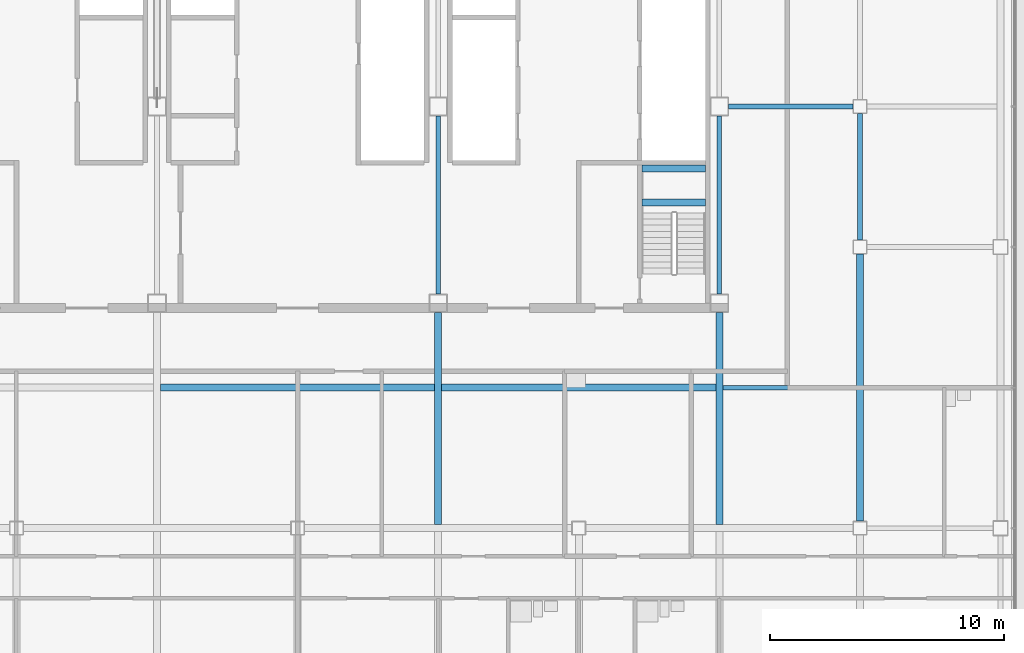
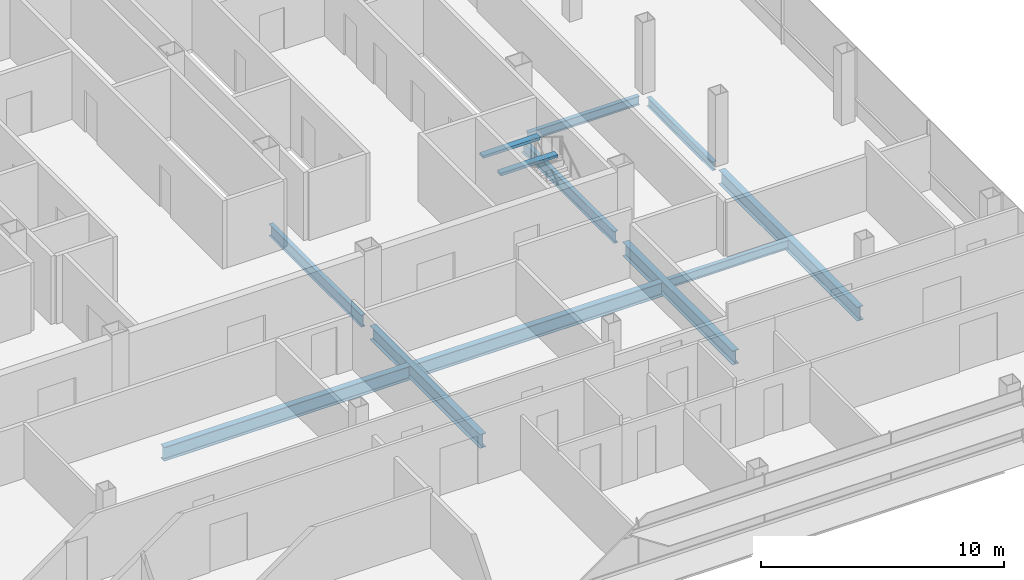
# One storey, part 10 of 26: 12 beams.
"""IFC4 building model written with IfcOpenShell, lengths in metres."""

from ifc_helpers import new_model, si_unit, direction, frame, origin, origin_2d, place, context, subcontext, project, spatial, rectangle, i_section, extrude, material, material_profile, profile_set, type_object, element, save


model = new_model("IFC4")

# Units and contexts
model_context = context("Model", 3, precision=1e-05, world=origin(), true_north=direction((0.0, 1.0)))
body_context = subcontext(model_context, "Body", "Model", "MODEL_VIEW")
ifc_project = project(units=[si_unit("LENGTHUNIT", "METRE"), si_unit("AREAUNIT", "SQUARE_METRE"), si_unit("VOLUMEUNIT", "CUBIC_METRE"), si_unit("PLANEANGLEUNIT", "RADIAN"), si_unit("MASSUNIT", "GRAM", prefix="KILO")], contexts=[model_context])

# Site, building, storey
site_placement = place(None, origin())
site = spatial("IfcSite", under=ifc_project, at=site_placement, CompositionType="ELEMENT")
building_placement = place(site_placement, origin())
building = spatial("IfcBuilding", under=site, at=building_placement, Name="Sorahane Residences", CompositionType="ELEMENT")
storey_placement = place(building_placement, frame((0.0, 0.0, 243.199951171875)))
storey = spatial("IfcBuildingStorey", under=building, at=storey_placement, Name="L57", CompositionType="ELEMENT", Elevation=243.199951171875)

# Beams
ifc_material_1 = material(Name="Concrete C40", Category="concrete")
ifc_material_profile_1 = material_profile(ifc_material_1, rectangle(XDim=0.300048828125, YDim=0.139892578125, at=origin_2d()), Name="300x140")
ifc_profile_set_1 = profile_set([ifc_material_profile_1], Name="Concrete C40")
beam_type_1 = type_object("IfcBeamType", Name="RC landing beam 300 x 140 Concrete C40", PredefinedType="BEAM", material=ifc_profile_set_1)
for number, where, z_axis, x_axis, name in (
    (1, (38.699951171875, 25.89990234375, 1.530029296875), (1.0, 0.0, 0.0), (0.0, 1.0, 0.0), "Landing beam"),
    (2, (38.699951171875, 27.35009765625, 1.530029296875), (1.0, 0.0, 0.0), (0.0, 1.0, 0.0), "Landing beam"),
):
    element("IfcBeam", number, at=place(storey_placement, frame(where, z_axis=z_axis, x_axis=x_axis)), inside=storey, type_object=beam_type_1, Name=name, PredefinedType="BEAM", context=body_context, shape_type="SweptSolid", body=[
        extrude(rectangle(XDim=0.300048828125, YDim=0.139892578125, at=origin_2d()), origin(), (0.0, 0.0, 1.0), 2.699951171875),
    ])
ifc_material_2 = material(Name="Steel Q355B", Category="steel")
ifc_material_profile_2 = material_profile(ifc_material_2, i_section(OverallWidth=0.199951171875, OverallDepth=0.449951171875, WebThickness=0.009033203125, FlangeThickness=0.013916015625, FilletRadius=0.02001953125, at=origin_2d()), Name="HN 450x200x9x14")
ifc_profile_set_2 = profile_set([ifc_material_profile_2], Name="Steel Q355B")
beam_type_2 = type_object("IfcBeamType", Name="Steel floor beam HN 450x200x9x14 Q355B", PredefinedType="BEAM", material=ifc_profile_set_2)
beam_1_placement = place(storey_placement, frame((48.0, 24.300048828125, -0.405029296875), z_axis=(0.0, 1.0, 0.0), x_axis=(-1.0, 0.0, 0.0)))
element("IfcBeam", 3, at=beam_1_placement, inside=storey, type_object=beam_type_2, Name="Beam L57 060", PredefinedType="BEAM", context=body_context, shape_type="SweptSolid", body=[
    extrude(i_section(OverallWidth=0.199951171875, OverallDepth=0.449951171875, WebThickness=0.009033203125, FlangeThickness=0.013916015625, FilletRadius=0.02001953125, at=origin_2d()), origin(), (0.0, 0.0, 1.0), 5.39990234375),
])
beam_2_placement = place(storey_placement, frame((42.14990234375, 18.0, -0.405029296875), z_axis=(1.0, 0.0, 0.0), x_axis=(0.0, 1.0, 0.0)))
element("IfcBeam", 4, at=beam_2_placement, inside=storey, type_object=beam_type_2, Name="Beam L57 083", PredefinedType="BEAM", context=body_context, shape_type="SweptSolid", body=[
    extrude(i_section(OverallWidth=0.199951171875, OverallDepth=0.449951171875, WebThickness=0.009033203125, FlangeThickness=0.013916015625, FilletRadius=0.02001953125, at=origin_2d()), origin(), (0.0, 0.0, 1.0), 5.7001953125),
])
beam_3_placement = place(storey_placement, frame((42.39990234375, 30.0, -0.405029296875), z_axis=(1.0, 0.0, 0.0), x_axis=(0.0, 1.0, 0.0)))
element("IfcBeam", 5, at=beam_3_placement, inside=storey, type_object=beam_type_2, Name="Beam L57 087", PredefinedType="BEAM", context=body_context, shape_type="SweptSolid", body=[
    extrude(i_section(OverallWidth=0.199951171875, OverallDepth=0.449951171875, WebThickness=0.009033203125, FlangeThickness=0.013916015625, FilletRadius=0.02001953125, at=origin_2d()), origin(), (0.0, 0.0, 1.0), 5.300048828125),
])
ifc_material_3 = material(Name="Steel Q355B", Category="steel")
ifc_material_profile_3 = material_profile(ifc_material_3, i_section(OverallWidth=0.199951171875, OverallDepth=0.60009765625, WebThickness=0.010986328125, FlangeThickness=0.01708984375, FilletRadius=0.02392578125, at=origin_2d()), Name="HN 600x200x11x17")
ifc_profile_set_3 = profile_set([ifc_material_profile_3], Name="Steel Q355B")
beam_type_3 = type_object("IfcBeamType", Name="Steel floor beam HN 600x200x11x17 Q355B", PredefinedType="BEAM", material=ifc_profile_set_3)
for number, where, z_axis, x_axis, name in (
    (6, (30.0, 22.0, -0.47998046875), (0.0, 1.0, 0.0), (-1.0, 0.0, 0.0), "Beam L57 046"),
    (7, (42.0, 22.0, -0.47998046875), (0.0, 1.0, 0.0), (-1.0, 0.0, 0.0), "Beam L57 054"),
):
    element("IfcBeam", number, at=place(storey_placement, frame(where, z_axis=z_axis, x_axis=x_axis)), inside=storey, type_object=beam_type_3, Name=name, PredefinedType="BEAM", context=body_context, shape_type="SweptSolid", body=[
        extrude(i_section(OverallWidth=0.199951171875, OverallDepth=0.60009765625, WebThickness=0.010986328125, FlangeThickness=0.01708984375, FilletRadius=0.02392578125, at=origin_2d()), origin(), (0.0, 0.0, 1.0), 7.60009765625),
    ])
ifc_material_4 = material(Name="Steel Q355B", Category="steel")
ifc_material_profile_4 = material_profile(ifc_material_4, i_section(OverallWidth=0.300048828125, OverallDepth=0.699951171875, WebThickness=0.012939453125, FlangeThickness=0.02392578125, FilletRadius=0.028076171875, at=origin_2d()), Name="HN 700x300x13x24")
ifc_profile_set_4 = profile_set([ifc_material_profile_4], Name="Steel Q355B")
beam_type_4 = type_object("IfcBeamType", Name="Steel floor beam HN 700x300x13x24 Q355B", PredefinedType="BEAM", material=ifc_profile_set_4)
for number, where, z_axis, x_axis, name in (
    (8, (30.0, 12.14990234375, -0.530029296875), (0.0, 1.0, 0.0), (-1.0, 0.0, 0.0), "Beam L57 045"),
    (9, (42.0, 12.14990234375, -0.530029296875), (0.0, 1.0, 0.0), (-1.0, 0.0, 0.0), "Beam L57 053"),
):
    element("IfcBeam", number, at=place(storey_placement, frame(where, z_axis=z_axis, x_axis=x_axis)), inside=storey, type_object=beam_type_4, Name=name, PredefinedType="BEAM", context=body_context, shape_type="SweptSolid", body=[
        extrude(i_section(OverallWidth=0.300048828125, OverallDepth=0.699951171875, WebThickness=0.012939453125, FlangeThickness=0.02392578125, FilletRadius=0.028076171875, at=origin_2d()), origin(), (0.0, 0.0, 1.0), 9.050048828125),
    ])
beam_4_placement = place(storey_placement, frame((48.0, 12.300048828125, -0.530029296875), z_axis=(0.0, 1.0, 0.0), x_axis=(-1.0, 0.0, 0.0)))
element("IfcBeam", 10, at=beam_4_placement, inside=storey, type_object=beam_type_4, Name="Beam L57 059", PredefinedType="BEAM", context=body_context, shape_type="SweptSolid", body=[
    extrude(i_section(OverallWidth=0.300048828125, OverallDepth=0.699951171875, WebThickness=0.012939453125, FlangeThickness=0.02392578125, FilletRadius=0.028076171875, at=origin_2d()), origin(), (0.0, 0.0, 1.0), 11.39990234375),
])
for number, where, z_axis, x_axis, name in (
    (11, (18.14990234375, 18.0, -0.530029296875), (1.0, 0.0, 0.0), (0.0, 1.0, 0.0), "Beam L57 081"),
    (12, (30.14990234375, 18.0, -0.530029296875), (1.0, 0.0, 0.0), (0.0, 1.0, 0.0), "Beam L57 082"),
):
    element("IfcBeam", number, at=place(storey_placement, frame(where, z_axis=z_axis, x_axis=x_axis)), inside=storey, type_object=beam_type_4, Name=name, PredefinedType="BEAM", context=body_context, shape_type="SweptSolid", body=[
        extrude(i_section(OverallWidth=0.300048828125, OverallDepth=0.699951171875, WebThickness=0.012939453125, FlangeThickness=0.02392578125, FilletRadius=0.028076171875, at=origin_2d()), origin(), (0.0, 0.0, 1.0), 11.7001953125),
    ])

save(model, "model.ifc")
